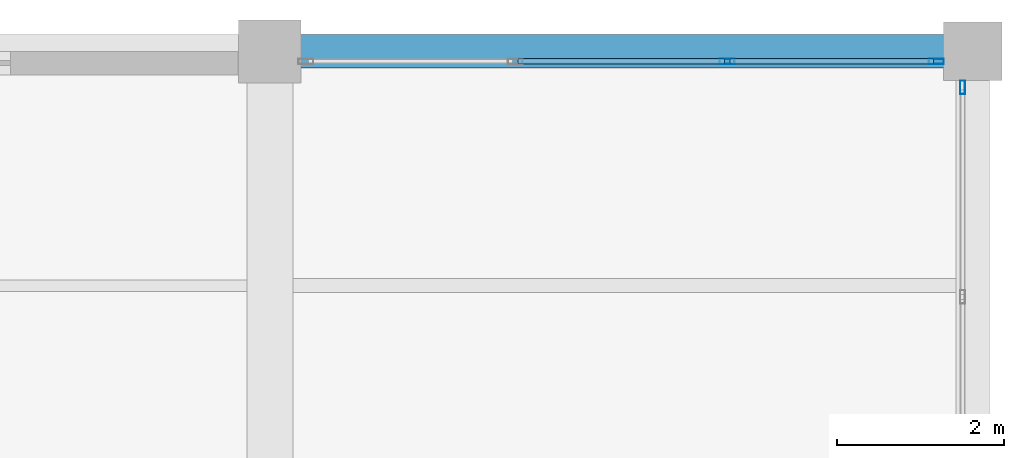
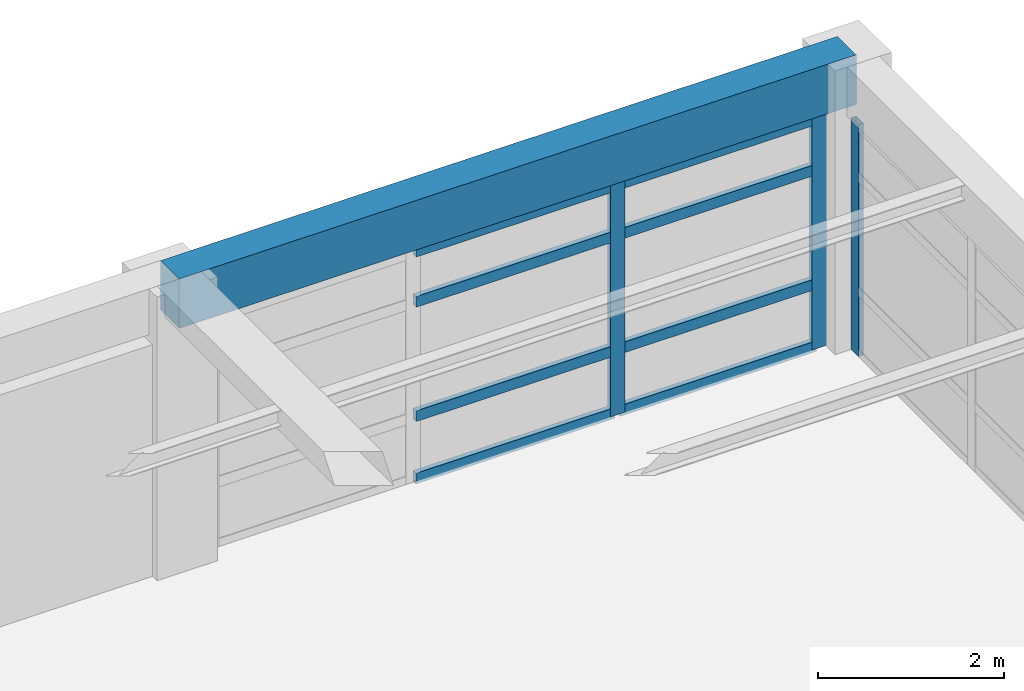
# One storey, part 21 of 26: 11 members, 1 beam, 2 elements without a shape of their own.
"""IFC4 building model written with IfcOpenShell, lengths in metres."""

from ifc_helpers import new_model, si_unit, direction, frame, origin, origin_2d, place, context, subcontext, project, spatial, rectangle, hollow_rectangle, extrude, material, material_profile, profile_set, type_object, element, aggregate, save


model = new_model("IFC4")

# Units and contexts
model_context = context("Model", 3, precision=1e-05, world=origin(), true_north=direction((0.0, 1.0)))
body_context = subcontext(model_context, "Body", "Model", "MODEL_VIEW")
ifc_project = project(units=[si_unit("LENGTHUNIT", "METRE"), si_unit("AREAUNIT", "SQUARE_METRE"), si_unit("VOLUMEUNIT", "CUBIC_METRE"), si_unit("PLANEANGLEUNIT", "RADIAN"), si_unit("MASSUNIT", "GRAM", prefix="KILO")], contexts=[model_context])

# Site, building, storey
site_placement = place(None, origin())
site = spatial("IfcSite", under=ifc_project, at=site_placement, CompositionType="ELEMENT")
building_placement = place(site_placement, origin())
building = spatial("IfcBuilding", under=site, at=building_placement, Name="Almacenes y Pasaje Nevantli", CompositionType="ELEMENT")
storey_placement = place(building_placement, frame((0.0, 0.0, 30.699951171875)))
storey = spatial("IfcBuildingStorey", under=building, at=storey_placement, Name="L07", CompositionType="ELEMENT", Elevation=30.699951171875)

# Beam
ifc_material_1 = material(Name="Concrete C35/45", Category="concrete")
ifc_material_profile_1 = material_profile(ifc_material_1, rectangle(XDim=0.39990234375, YDim=0.64990234375, at=origin_2d()), Name="RC-BM-400x650")
ifc_profile_set_1 = profile_set([ifc_material_profile_1], Name="Concrete C35/45")
beam_type = type_object("IfcBeamType", Name="BM-RC-400x650", PredefinedType="SPANDREL", material=ifc_profile_set_1)
beam_placement = place(storey_placement, frame((151.199951171875, 100.800048828125, 3.39501953125), z_axis=(1.0, 0.0, 0.0), x_axis=(0.0, 1.0, 0.0)))
element("IfcBeam", 1, at=beam_placement, inside=storey, type_object=beam_type, Name="L07 East-West Reinforced Concrete Beam #3658", PredefinedType="SPANDREL", context=body_context, shape_type="SweptSolid", body=[
    extrude(rectangle(XDim=0.39990234375, YDim=0.64990234375, at=origin_2d()), origin(), (0.0, 0.0, 1.0), 8.400146484375),
])

# Curtain wall, member
ifc_material_2 = material(Name="Thermally Broken Aluminium and Low-E Glass", Category="aluminium")
curtain_wall_type = type_object("IfcCurtainWallType", Name="CW-UNIT-TOWER", PredefinedType="USERDEFINED", material=ifc_material_2)
curtain_wall_1_placement = place(storey_placement, origin())
curtain_wall_1 = element("IfcCurtainWall", 2, at=curtain_wall_1_placement, inside=storey, type_object=curtain_wall_type, Name="L07 Tower East Curtain Wall Bay 12", ObjectType="UNITIZED CURTAIN WALL", PredefinedType="USERDEFINED")
ifc_material_3 = material(Name="Thermally Broken Anodized Aluminium", Category="aluminium")
ifc_material_profile_2 = material_profile(ifc_material_3, hollow_rectangle(XDim=0.06005859375, YDim=0.159912109375, WallThickness=0.00390625, at=origin_2d()), Name="ALU-MUL-60x160")
ifc_profile_set_2 = profile_set([ifc_material_profile_2], Name="Thermally Broken Anodized Aluminium")
member_type_1 = type_object("IfcMemberType", Name="CW-MUL-180", PredefinedType="MULLION", material=ifc_profile_set_2)
member_1_placement = place(storey_placement, frame((159.47998046875, 100.3701171875, 0.0), z_axis=(0.0, 0.0, 1.0), x_axis=(-1.0, 0.0, 0.0)))
member_1 = element("IfcMember", 3, at=member_1_placement, type_object=member_type_1, Name="CW-L07-120 mullion 4", PredefinedType="MULLION", context=body_context, shape_type="SweptSolid", body=[
    extrude(hollow_rectangle(XDim=0.06005859375, YDim=0.159912109375, WallThickness=0.00390625, at=origin_2d()), origin(), (0.0, 0.0, 1.0), 3.0400390625),
])
aggregate(curtain_wall_1, [member_1])

# Curtain wall, members
curtain_wall_2_placement = place(storey_placement, origin())
curtain_wall_2 = element("IfcCurtainWall", 4, at=curtain_wall_2_placement, inside=storey, type_object=curtain_wall_type, Name="L07 Tower North Boulevard Unitized Curtain Wall Bay 19", ObjectType="UNITIZED CURTAIN WALL", PredefinedType="USERDEFINED")
ifc_material_4 = material(Name="Thermally Broken Anodized Aluminium", Category="aluminium")
ifc_material_profile_3 = material_profile(ifc_material_4, hollow_rectangle(XDim=0.06494140625, YDim=0.179931640625, WallThickness=0.00390625, at=origin_2d()), Name="ALU-MUL-65x180")
ifc_profile_set_3 = profile_set([ifc_material_profile_3], Name="Thermally Broken Anodized Aluminium")
member_type_2 = type_object("IfcMemberType", Name="CW-MUL-200", PredefinedType="MULLION", material=ifc_profile_set_3)
member_2_placement = place(storey_placement, frame((156.666748046875, 100.679931640625, 0.0), z_axis=(0.0, 0.0, 1.0), x_axis=(0.0, 1.0, 0.0)))
member_2 = element("IfcMember", 5, at=member_2_placement, type_object=member_type_2, Name="CW-L07-116 mullion 3", PredefinedType="MULLION", context=body_context, shape_type="SweptSolid", body=[
    extrude(hollow_rectangle(XDim=0.06494140625, YDim=0.179931640625, WallThickness=0.00390625, at=origin_2d()), origin(), (0.0, 0.0, 1.0), 3.0400390625),
])
member_3_placement = place(storey_placement, frame((159.16748046875, 100.679931640625, 0.0), z_axis=(0.0, 0.0, 1.0), x_axis=(0.0, 1.0, 0.0)))
member_3 = element("IfcMember", 6, at=member_3_placement, type_object=member_type_2, Name="CW-L07-116 mullion 4", PredefinedType="MULLION", context=body_context, shape_type="SweptSolid", body=[
    extrude(hollow_rectangle(XDim=0.06494140625, YDim=0.179931640625, WallThickness=0.00390625, at=origin_2d()), origin(), (0.0, 0.0, 1.0), 3.0400390625),
])
ifc_material_5 = material(Name="Thermally Broken Anodized Aluminium", Category="aluminium")
ifc_material_profile_4 = material_profile(ifc_material_5, hollow_rectangle(XDim=0.06494140625, YDim=0.139892578125, WallThickness=0.00390625, at=origin_2d()), Name="ALU-TRN-65x140")
ifc_profile_set_4 = profile_set([ifc_material_profile_4], Name="Thermally Broken Anodized Aluminium")
member_type_3 = type_object("IfcMemberType", Name="CW-TRN-150", PredefinedType="USERDEFINED", material=ifc_profile_set_4)
member_4_placement = place(storey_placement, frame((154.165771484375, 100.679931640625, 0.032470703125), z_axis=(1.0, 0.0, 0.0), x_axis=(0.0, 1.0, 0.0)))
member_4 = element("IfcMember", 7, at=member_4_placement, type_object=member_type_3, Name="CW-L07-116 transom 2.1", ObjectType="TRANSOM", PredefinedType="USERDEFINED", context=body_context, shape_type="SweptSolid", body=[
    extrude(hollow_rectangle(XDim=0.06494140625, YDim=0.139892578125, WallThickness=0.00390625, at=origin_2d()), origin(), (0.0, 0.0, 1.0), 2.468505859375),
])
member_5_placement = place(storey_placement, frame((154.165771484375, 100.679931640625, 0.85009765625), z_axis=(1.0, 0.0, 0.0), x_axis=(0.0, 1.0, 0.0)))
member_5 = element("IfcMember", 8, at=member_5_placement, type_object=member_type_3, Name="CW-L07-116 transom 2.2", ObjectType="TRANSOM", PredefinedType="USERDEFINED", context=body_context, shape_type="SweptSolid", body=[
    extrude(hollow_rectangle(XDim=0.06494140625, YDim=0.139892578125, WallThickness=0.00390625, at=origin_2d()), origin(), (0.0, 0.0, 1.0), 2.468505859375),
])
member_6_placement = place(storey_placement, frame((154.165771484375, 100.679931640625, 2.35009765625), z_axis=(1.0, 0.0, 0.0), x_axis=(0.0, 1.0, 0.0)))
member_6 = element("IfcMember", 9, at=member_6_placement, type_object=member_type_3, Name="CW-L07-116 transom 2.3", ObjectType="TRANSOM", PredefinedType="USERDEFINED", context=body_context, shape_type="SweptSolid", body=[
    extrude(hollow_rectangle(XDim=0.06494140625, YDim=0.139892578125, WallThickness=0.00390625, at=origin_2d()), origin(), (0.0, 0.0, 1.0), 2.468505859375),
])
member_7_placement = place(storey_placement, frame((154.165771484375, 100.679931640625, 3.007568359375), z_axis=(1.0, 0.0, 0.0), x_axis=(0.0, 1.0, 0.0)))
member_7 = element("IfcMember", 10, at=member_7_placement, type_object=member_type_3, Name="CW-L07-116 transom 2.4", ObjectType="TRANSOM", PredefinedType="USERDEFINED", context=body_context, shape_type="SweptSolid", body=[
    extrude(hollow_rectangle(XDim=0.06494140625, YDim=0.139892578125, WallThickness=0.00390625, at=origin_2d()), origin(), (0.0, 0.0, 1.0), 2.468505859375),
])
member_8_placement = place(storey_placement, frame((156.69921875, 100.679931640625, 0.032470703125), z_axis=(1.0, 0.0, 0.0), x_axis=(0.0, 1.0, 0.0)))
member_8 = element("IfcMember", 11, at=member_8_placement, type_object=member_type_3, Name="CW-L07-116 transom 3.1", ObjectType="TRANSOM", PredefinedType="USERDEFINED", context=body_context, shape_type="SweptSolid", body=[
    extrude(hollow_rectangle(XDim=0.06494140625, YDim=0.139892578125, WallThickness=0.00390625, at=origin_2d()), origin(), (0.0, 0.0, 1.0), 2.435791015625),
])
member_9_placement = place(storey_placement, frame((156.69921875, 100.679931640625, 0.85009765625), z_axis=(1.0, 0.0, 0.0), x_axis=(0.0, 1.0, 0.0)))
member_9 = element("IfcMember", 12, at=member_9_placement, type_object=member_type_3, Name="CW-L07-116 transom 3.2", ObjectType="TRANSOM", PredefinedType="USERDEFINED", context=body_context, shape_type="SweptSolid", body=[
    extrude(hollow_rectangle(XDim=0.06494140625, YDim=0.139892578125, WallThickness=0.00390625, at=origin_2d()), origin(), (0.0, 0.0, 1.0), 2.435791015625),
])
member_10_placement = place(storey_placement, frame((156.69921875, 100.679931640625, 2.35009765625), z_axis=(1.0, 0.0, 0.0), x_axis=(0.0, 1.0, 0.0)))
member_10 = element("IfcMember", 13, at=member_10_placement, type_object=member_type_3, Name="CW-L07-116 transom 3.3", ObjectType="TRANSOM", PredefinedType="USERDEFINED", context=body_context, shape_type="SweptSolid", body=[
    extrude(hollow_rectangle(XDim=0.06494140625, YDim=0.139892578125, WallThickness=0.00390625, at=origin_2d()), origin(), (0.0, 0.0, 1.0), 2.435791015625),
])
member_11_placement = place(storey_placement, frame((156.69921875, 100.679931640625, 3.007568359375), z_axis=(1.0, 0.0, 0.0), x_axis=(0.0, 1.0, 0.0)))
member_11 = element("IfcMember", 14, at=member_11_placement, type_object=member_type_3, Name="CW-L07-116 transom 3.4", ObjectType="TRANSOM", PredefinedType="USERDEFINED", context=body_context, shape_type="SweptSolid", body=[
    extrude(hollow_rectangle(XDim=0.06494140625, YDim=0.139892578125, WallThickness=0.00390625, at=origin_2d()), origin(), (0.0, 0.0, 1.0), 2.435791015625),
])
aggregate(curtain_wall_2, [member_2, member_3, member_4, member_5, member_6, member_7, member_8, member_9, member_10, member_11])

save(model, "model.ifc")
